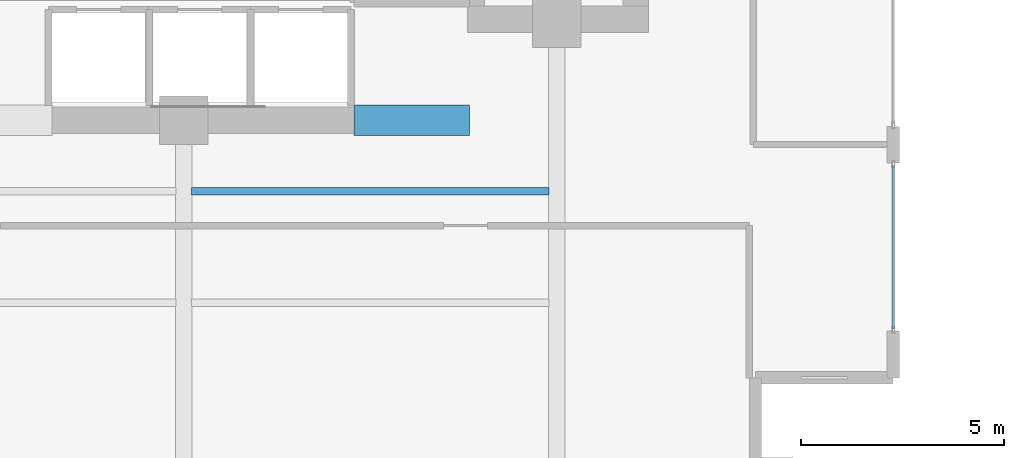
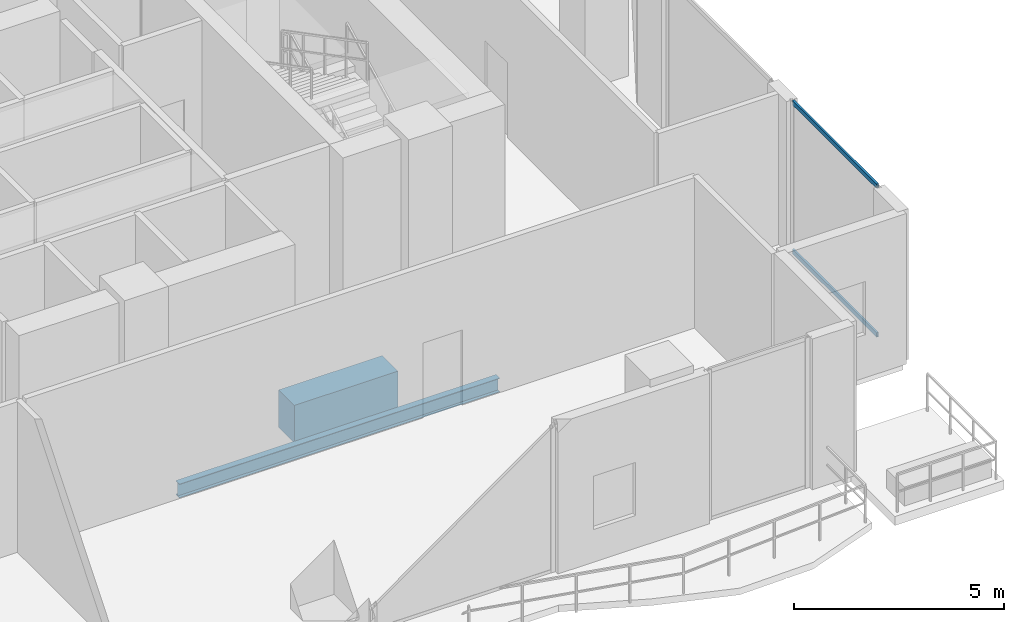
# One storey, part 12 of 33: 2 beams, 2 members, 1 element without a shape of its own.
"""IFC4 building model written with IfcOpenShell, lengths in metres."""

from ifc_helpers import new_model, si_unit, direction, frame, origin, origin_2d, place, context, subcontext, project, spatial, rectangle, hollow_rectangle, i_section, extrude, material, layer, layer_set, material_profile, profile_set, type_object, element, aggregate, save


model = new_model("IFC4")

# Units and contexts
model_context = context("Model", 3, precision=1e-05, world=origin(), true_north=direction((0.0, 1.0)))
body_context = subcontext(model_context, "Body", "Model", "MODEL_VIEW")
ifc_project = project(units=[si_unit("LENGTHUNIT", "METRE"), si_unit("AREAUNIT", "SQUARE_METRE"), si_unit("VOLUMEUNIT", "CUBIC_METRE"), si_unit("PLANEANGLEUNIT", "RADIAN"), si_unit("MASSUNIT", "GRAM", prefix="KILO")], contexts=[model_context])

# Site, building, storey
site_placement = place(None, origin())
site = spatial("IfcSite", under=ifc_project, at=site_placement, CompositionType="ELEMENT")
building_placement = place(site_placement, origin())
building = spatial("IfcBuilding", under=site, at=building_placement, Name="Zuhayl Quay Hotel", CompositionType="ELEMENT")
storey_placement = place(building_placement, frame((0.0, 0.0, 168.199951171875)))
storey = spatial("IfcBuildingStorey", under=building, at=storey_placement, Name="L42", CompositionType="ELEMENT", Elevation=168.199951171875)

# Beams
ifc_material_1 = material(Name="Concrete C60/75", Category="concrete")
ifc_material_profile_1 = material_profile(ifc_material_1, rectangle(XDim=0.75, YDim=1.10009765625, at=origin_2d()), Name="RC750X1100")
ifc_profile_set_1 = profile_set([ifc_material_profile_1], Name="Concrete C60/75")
beam_type_1 = type_object("IfcBeamType", Name="BM_CB2_RC750", PredefinedType="T_BEAM", material=ifc_profile_set_1)
beam_1_placement = place(storey_placement, frame((8.800048828125, 2.14990234375, -0.81005859375), z_axis=(1.0, 0.0, 0.0), x_axis=(0.0, 1.0, 0.0)))
element("IfcBeam", 1, at=beam_1_placement, inside=storey, type_object=beam_type_1, Name="L42 Core Coupling Beam SE", PredefinedType="T_BEAM", context=body_context, shape_type="SweptSolid", body=[
    extrude(rectangle(XDim=0.75, YDim=1.10009765625, at=origin_2d()), origin(), (0.0, 0.0, 1.0), 2.849853515625),
])
ifc_material_2 = material(Name="Steel ASTM A992 Grade 50", Category="steel")
ifc_material_profile_2 = material_profile(ifc_material_2, i_section(OverallWidth=0.177978515625, OverallDepth=0.406005859375, WebThickness=0.0078125, FlangeThickness=0.0126953125, at=origin_2d()), Name="W16X40")
ifc_profile_set_2 = profile_set([ifc_material_profile_2], Name="Steel ASTM A992 Grade 50")
beam_type_2 = type_object("IfcBeamType", Name="BM_J2B_W16X40", PredefinedType="JOIST", material=ifc_profile_set_2)
beam_2_placement = place(storey_placement, frame((4.7939453125, 0.39990234375, -0.462890625), z_axis=(1.0, 0.0, 0.0), x_axis=(0.0, 1.0, 0.0)))
element("IfcBeam", 2, at=beam_2_placement, inside=storey, type_object=beam_type_2, Name="L42 Floor Beam FJ_L42_8_3", PredefinedType="JOIST", context=body_context, shape_type="SweptSolid", body=[
    extrude(i_section(OverallWidth=0.177978515625, OverallDepth=0.406005859375, WebThickness=0.0078125, FlangeThickness=0.0126953125, at=origin_2d()), origin(), (0.0, 0.0, 1.0), 8.81201171875),
])

# Curtain wall, members
ifc_material_3 = material(Name="Anodised Aluminium 6063-T6", Category="aluminium")
ifc_layer = layer(ifc_material_3, 0.175048828125, Name="Anodised Aluminium 6063-T6", Category="aluminium")
ifc_layer_set = layer_set([ifc_layer], Name="Anodised Aluminium 6063-T6")
curtain_wall_type = type_object("IfcCurtainWallType", Name="CW_SYS_Z3", PredefinedType="USERDEFINED", material=ifc_layer_set)
curtain_wall_placement = place(storey_placement, origin())
curtain_wall = element("IfcCurtainWall", 3, at=curtain_wall_placement, inside=storey, type_object=curtain_wall_type, Name="L42 Curtain Wall ENV_L42_E14_CW2", ObjectType="UNITISED CURTAIN WALL", PredefinedType="USERDEFINED")
ifc_material_4 = material(Name="Black-anodised aluminium 6063-T6", Category="aluminium")
ifc_material_profile_3 = material_profile(ifc_material_4, hollow_rectangle(XDim=0.054931640625, YDim=0.1298828125, WallThickness=0.0029296875, at=origin_2d()), Name="ALU130X55")
ifc_profile_set_3 = profile_set([ifc_material_profile_3], Name="Black-anodised aluminium 6063-T6")
member_type = type_object("IfcMemberType", Name="MB_CW_TRN_130", PredefinedType="USERDEFINED", material=ifc_profile_set_3)
member_1_placement = place(storey_placement, frame((22.10009765625, 1.034912109375, 0.027587890625), z_axis=(0.0, -1.0, 0.0), x_axis=(1.0, 0.0, 0.0)))
member_1 = element("IfcMember", 4, at=member_1_placement, type_object=member_type, Name="CW-Z3 transom 1.1", ObjectType="TRANSOM", PredefinedType="USERDEFINED", context=body_context, shape_type="SweptSolid", body=[
    extrude(hollow_rectangle(XDim=0.054931640625, YDim=0.1298828125, WallThickness=0.0029296875, at=origin_2d()), origin(), (0.0, 0.0, 1.0), 4.02001953125),
])
member_2_placement = place(storey_placement, frame((22.10009765625, 1.034912109375, 4.3525390625), z_axis=(0.0, -1.0, 0.0), x_axis=(1.0, 0.0, 0.0)))
member_2 = element("IfcMember", 5, at=member_2_placement, type_object=member_type, Name="CW-Z3 transom 1.2", ObjectType="TRANSOM", PredefinedType="USERDEFINED", context=body_context, shape_type="SweptSolid", body=[
    extrude(hollow_rectangle(XDim=0.054931640625, YDim=0.1298828125, WallThickness=0.0029296875, at=origin_2d()), origin(), (0.0, 0.0, 1.0), 4.02001953125),
])
aggregate(curtain_wall, [member_1, member_2])

save(model, "model.ifc")
